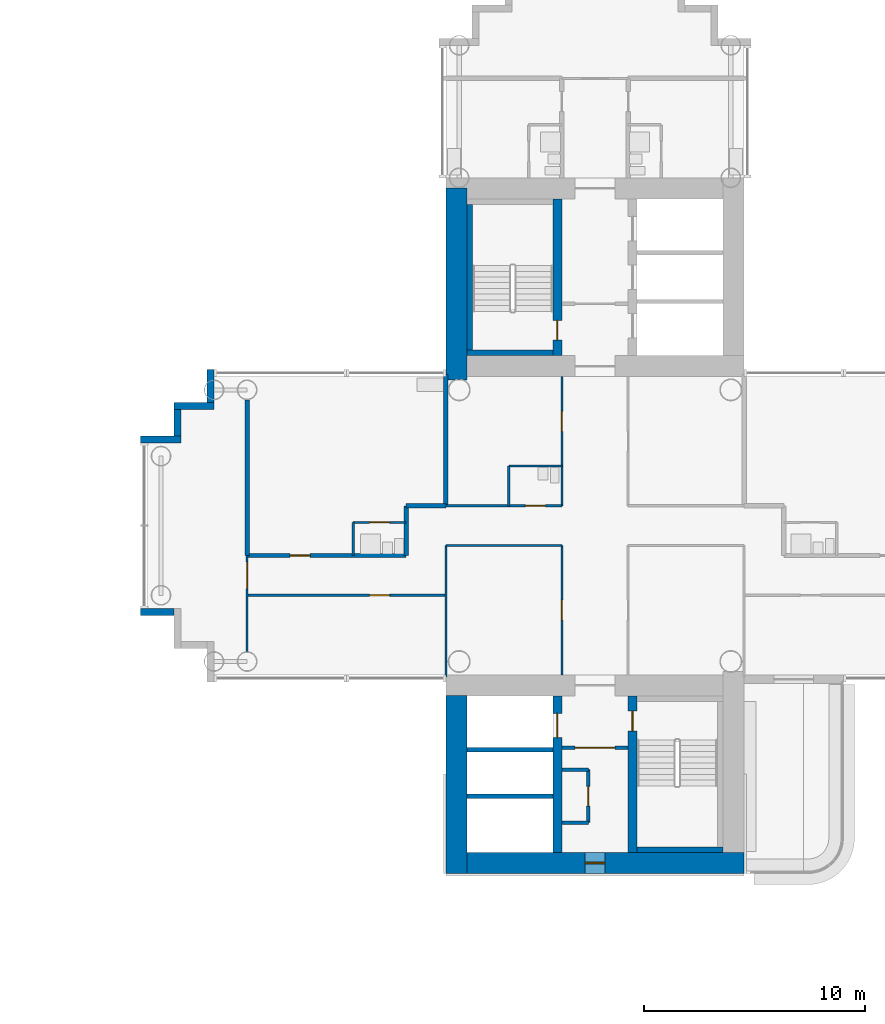
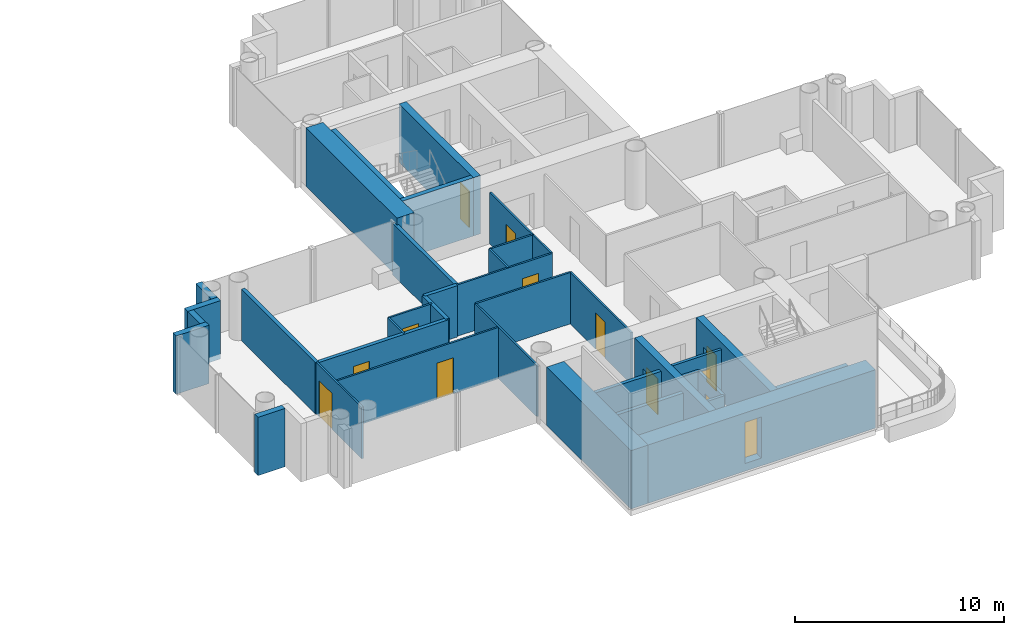
# One storey, part 12 of 21: 36 walls, 12 doors, 1 window, 13 openings.
"""IFC4 building model written with IfcOpenShell, lengths in metres."""

from ifc_helpers import new_model, si_unit, direction, frame, frame_2d, origin, place, context, subcontext, project, spatial, rectangle, extrude, material, layer, layer_set, type_object, element, fill, save


model = new_model("IFC4")

# Units and contexts
model_context = context("Model", 3, precision=1e-05, world=origin(), true_north=direction((0.0, 1.0)))
body_context = subcontext(model_context, "Body", "Model", "MODEL_VIEW")
ifc_project = project(units=[si_unit("LENGTHUNIT", "METRE"), si_unit("AREAUNIT", "SQUARE_METRE"), si_unit("VOLUMEUNIT", "CUBIC_METRE"), si_unit("PLANEANGLEUNIT", "RADIAN"), si_unit("MASSUNIT", "GRAM", prefix="KILO")], contexts=[model_context])

# Site, building, storey
site_placement = place(None, origin())
site = spatial("IfcSite", under=ifc_project, at=site_placement, CompositionType="ELEMENT")
building_placement = place(site_placement, origin())
building = spatial("IfcBuilding", under=site, at=building_placement, Name="Ipe Terrace Towers", CompositionType="ELEMENT")
storey_placement = place(building_placement, frame((0.0, 0.0, 117.39990234375)))
storey = spatial("IfcBuildingStorey", under=building, at=storey_placement, Name="L32", CompositionType="ELEMENT", Elevation=117.39990234375)

# Walls
ifc_material_1 = material(Name="Concrete C40/50 with buff precast cladding", Category="concrete")
ifc_layer_1 = layer(ifc_material_1, 0.320068359375)
ifc_layer_set_1 = layer_set([ifc_layer_1], Name="BUFF CLADDING WALL 320")
wall_type_1 = type_object("IfcWallType", Name="BUFF CLADDING WALL 320", PredefinedType="STANDARD", material=ifc_layer_set_1)
wall_1_placement = place(storey_placement, frame((18.590087890625, 7.070068359375, -0.2998046875), z_axis=(0.0, 0.0, 1.0), x_axis=(0.0, -1.0, 0.0)))
element("IfcWall", 1, at=wall_1_placement, inside=storey, type_object=wall_type_1, Name="T2-W-L32-30a wall", PredefinedType="STANDARD", context=body_context, shape_type="SweptSolid", body=[
    extrude(rectangle(XDim=1.5, YDim=0.320068359375, at=frame_2d((0.75, 0.0))), origin(), (0.0, 0.0, 1.0), 3.39990234375),
])
wall_2_placement = place(storey_placement, frame((18.75, 5.409912109375, -0.2998046875), z_axis=(0.0, 0.0, 1.0), x_axis=(-1.0, 0.0, 0.0)))
element("IfcWall", 2, at=wall_2_placement, inside=storey, type_object=wall_type_1, Name="T2-W-L32-31a wall", PredefinedType="STANDARD", context=body_context, shape_type="SweptSolid", body=[
    extrude(rectangle(XDim=1.820068359375, YDim=0.320068359375, at=frame_2d((0.91015625, 0.0))), origin(), (0.0, 0.0, 1.0), 3.39990234375),
])
wall_3_placement = place(storey_placement, frame((17.090087890625, 5.25, -0.2998046875), z_axis=(0.0, 0.0, 1.0), x_axis=(0.0, -1.0, 0.0)))
element("IfcWall", 3, at=wall_3_placement, inside=storey, type_object=wall_type_1, Name="T2-W-L32-32a wall", PredefinedType="STANDARD", context=body_context, shape_type="SweptSolid", body=[
    extrude(rectangle(XDim=1.179931640625, YDim=0.320068359375, at=frame_2d((0.58984375, 0.0))), origin(), (0.0, 0.0, 1.0), 3.39990234375),
])
wall_4_placement = place(storey_placement, frame((17.25, 3.909912109375, -0.2998046875), z_axis=(0.0, 0.0, 1.0), x_axis=(-1.0, 0.0, 0.0)))
element("IfcWall", 4, at=wall_4_placement, inside=storey, type_object=wall_type_1, Name="T2-W-L32-33a wall", PredefinedType="STANDARD", context=body_context, shape_type="SweptSolid", body=[
    extrude(rectangle(XDim=1.820068359375, YDim=0.320068359375, at=frame_2d((0.91015625, 0.0))), origin(), (0.0, 0.0, 1.0), 3.39990234375),
])
wall_5_placement = place(storey_placement, frame((15.429931640625, -3.909912109375, -0.2998046875), z_axis=(0.0, 0.0, 1.0), x_axis=(1.0, 0.0, 0.0)))
element("IfcWall", 5, at=wall_5_placement, inside=storey, type_object=wall_type_1, Name="T2-W-L32-35a wall", PredefinedType="STANDARD", context=body_context, shape_type="SweptSolid", body=[
    extrude(rectangle(XDim=1.5, YDim=0.320068359375, at=frame_2d((0.75, 0.0))), origin(), (0.0, 0.0, 1.0), 3.39990234375),
])

# Wall, opening, door
ifc_material_2 = material(Name="Gypsum board partition", Category="plasterboard")
ifc_layer_2 = layer(ifc_material_2, 0.10009765625)
ifc_layer_set_2 = layer_set([ifc_layer_2], Name="Gypsum board partition 100 mm")
wall_type_2 = type_object("IfcWallType", Name="Gypsum board partition 100 mm", PredefinedType="PARTITIONING", material=ifc_layer_set_2)
wall_6_placement = place(storey_placement, frame((29.25, -3.14990234375, 0.0), z_axis=(0.0, 0.0, 1.0), x_axis=(-1.0, 0.0, 0.0)))
wall_6 = element("IfcWall", 6, at=wall_6_placement, inside=storey, type_object=wall_type_2, Name="Gypsum board partition T2 L32 W02", PredefinedType="PARTITIONING", context=body_context, shape_type="SweptSolid", body=[
    extrude(rectangle(XDim=9.0, YDim=0.10009765625, at=frame_2d((4.5, 0.0))), origin(), (0.0, 0.0, 1.0), 3.0),
])
opening_1_placement = place(wall_6_placement, frame((2.550048828125, 0.0, 0.0)))
opening_1 = element("IfcOpeningElement", 7, at=opening_1_placement, cuts=wall_6, Name="Opening T2-Z2A-06", PredefinedType="OPENING", context=body_context, shape_type="SweptSolid", body=[
    extrude(rectangle(XDim=0.89990234375, YDim=2.10009765625, at=frame_2d((0.449951171875, 1.050048828125))), frame((0.0, 0.06005859375, 0.0), z_axis=(0.0, -1.0, 0.0), x_axis=(1.0, 0.0, 0.0)), (0.0, 0.0, 1.0), 0.1201171875),
])
ifc_material_3 = material(Name="Timber door leaf", Category="wood")
door_type_1 = type_object("IfcDoorType", Name="Lounge door 900 x 2100", OperationType="NOTDEFINED", PredefinedType="DOOR", material=ifc_material_3)
door_1_placement = place(opening_1_placement, origin())
door_1 = element("IfcDoor", 8, at=door_1_placement, inside=storey, type_object=door_type_1, Name="Lounge door T2-Z2A-06", OperationType="SINGLE_SWING_RIGHT", OverallHeight=2.10009765625, OverallWidth=0.89990234375, PredefinedType="DOOR", context=body_context, shape_type="SweptSolid", body=[
    extrude(rectangle(XDim=0.89990234375, YDim=2.10009765625, at=frame_2d((0.449951171875, 1.050048828125))), frame((0.0, 0.02490234375, 0.0), z_axis=(0.0, -1.0, 0.0), x_axis=(1.0, 0.0, 0.0)), (0.0, 0.0, 1.0), 0.050048828125),
])
fill(opening_1, door_1)

# Wall
wall_7_placement = place(storey_placement, frame((34.5, -0.89990234375, 0.0), z_axis=(0.0, 0.0, 1.0), x_axis=(-1.0, 0.0, 0.0)))
element("IfcWall", 9, at=wall_7_placement, inside=storey, type_object=wall_type_2, Name="Gypsum board partition T2 L32 W06", PredefinedType="PARTITIONING", context=body_context, shape_type="SweptSolid", body=[
    extrude(rectangle(XDim=5.25, YDim=0.10009765625, at=frame_2d((2.625, 0.0))), origin(), (0.0, 0.0, 1.0), 3.0),
])

# Wall, opening, door
wall_8_placement = place(storey_placement, frame((27.449951171875, 0.14990234375, 0.0), z_axis=(0.0, 0.0, 1.0), x_axis=(-1.0, 0.0, 0.0)))
wall_8 = element("IfcWall", 10, at=wall_8_placement, inside=storey, type_object=wall_type_2, Name="Gypsum board partition T2 L32 W08", PredefinedType="PARTITIONING", context=body_context, shape_type="SweptSolid", body=[
    extrude(rectangle(XDim=2.39990234375, YDim=0.10009765625, at=frame_2d((1.199951171875, 0.0))), origin(), (0.0, 0.0, 1.0), 3.0),
])
opening_2_placement = place(wall_8_placement, frame((0.75, 0.0, 0.0)))
opening_2 = element("IfcOpeningElement", 11, at=opening_2_placement, cuts=wall_8, Name="Opening T2-Z2A-08", PredefinedType="OPENING", context=body_context, shape_type="SweptSolid", body=[
    extrude(rectangle(XDim=0.89990234375, YDim=2.10009765625, at=frame_2d((0.449951171875, 1.050048828125))), frame((0.0, 0.06005859375, 0.0), z_axis=(0.0, -1.0, 0.0), x_axis=(1.0, 0.0, 0.0)), (0.0, 0.0, 1.0), 0.1201171875),
])
ifc_material_4 = material(Name="Timber door leaf", Category="wood")
door_type_2 = type_object("IfcDoorType", Name="Bathroom door 900 x 2100", OperationType="NOTDEFINED", PredefinedType="DOOR", material=ifc_material_4)
door_2_placement = place(opening_2_placement, origin())
door_2 = element("IfcDoor", 12, at=door_2_placement, inside=storey, type_object=door_type_2, Name="Bathroom door T2-Z2A-08", OperationType="SINGLE_SWING_LEFT", OverallHeight=2.10009765625, OverallWidth=0.89990234375, PredefinedType="DOOR", context=body_context, shape_type="SweptSolid", body=[
    extrude(rectangle(XDim=0.89990234375, YDim=2.10009765625, at=frame_2d((0.449951171875, 1.050048828125))), frame((0.0, 0.02490234375, 0.0), z_axis=(0.0, -1.0, 0.0), x_axis=(1.0, 0.0, 0.0)), (0.0, 0.0, 1.0), 0.050048828125),
])
fill(opening_2, door_2)

wall_9_placement = place(storey_placement, frame((34.5, 0.89990234375, 0.0), z_axis=(0.0, 0.0, 1.0), x_axis=(-1.0, 0.0, 0.0)))
wall_9 = element("IfcWall", 13, at=wall_9_placement, inside=storey, type_object=wall_type_2, Name="Gypsum board partition T2 L32 W10", PredefinedType="PARTITIONING", context=body_context, shape_type="SweptSolid", body=[
    extrude(rectangle(XDim=5.25, YDim=0.10009765625, at=frame_2d((2.625, 0.0))), origin(), (0.0, 0.0, 1.0), 3.0),
])
opening_3_placement = place(wall_9_placement, frame((0.75, 0.0, 0.0)))
opening_3 = element("IfcOpeningElement", 14, at=opening_3_placement, cuts=wall_9, Name="Opening T2-Z2A-01", PredefinedType="OPENING", context=body_context, shape_type="SweptSolid", body=[
    extrude(rectangle(XDim=0.89990234375, YDim=2.10009765625, at=frame_2d((0.449951171875, 1.050048828125))), frame((0.0, 0.06005859375, 0.0), z_axis=(0.0, -1.0, 0.0), x_axis=(1.0, 0.0, 0.0)), (0.0, 0.0, 1.0), 0.1201171875),
])
door_3_placement = place(opening_3_placement, origin())
door_3 = element("IfcDoor", 15, at=door_3_placement, inside=storey, type_object=door_type_2, Name="Bathroom door T2-Z2A-01", OperationType="SINGLE_SWING_LEFT", OverallHeight=2.10009765625, OverallWidth=0.89990234375, PredefinedType="DOOR", context=body_context, shape_type="SweptSolid", body=[
    extrude(rectangle(XDim=0.89990234375, YDim=2.10009765625, at=frame_2d((0.449951171875, 1.050048828125))), frame((0.0, 0.02490234375, 0.0), z_axis=(0.0, -1.0, 0.0), x_axis=(1.0, 0.0, 0.0)), (0.0, 0.0, 1.0), 0.050048828125),
])
fill(opening_3, door_3)

# Wall
wall_10_placement = place(storey_placement, frame((34.5, 2.699951171875, 0.0), z_axis=(0.0, 0.0, 1.0), x_axis=(-1.0, 0.0, 0.0)))
element("IfcWall", 16, at=wall_10_placement, inside=storey, type_object=wall_type_2, Name="Gypsum board partition T2 L32 W13", PredefinedType="PARTITIONING", context=body_context, shape_type="SweptSolid", body=[
    extrude(rectangle(XDim=2.39990234375, YDim=0.10009765625, at=frame_2d((1.199951171875, 0.0))), origin(), (0.0, 0.0, 1.0), 3.0),
])

# Wall, opening, door
wall_11_placement = place(storey_placement, frame((34.5, -6.75, 0.0), z_axis=(0.0, 0.0, 1.0), x_axis=(0.0, 1.0, 0.0)))
wall_11 = element("IfcWall", 17, at=wall_11_placement, inside=storey, type_object=wall_type_2, Name="Gypsum board partition T2 L32 W29", PredefinedType="PARTITIONING", context=body_context, shape_type="SweptSolid", body=[
    extrude(rectangle(XDim=5.85009765625, YDim=0.10009765625, at=frame_2d((2.925048828125, 0.0))), origin(), (0.0, 0.0, 1.0), 3.0),
])
opening_4_placement = place(wall_11_placement, frame((2.47509765625, 0.0, 0.0)))
opening_4 = element("IfcOpeningElement", 18, at=opening_4_placement, cuts=wall_11, Name="Opening T2-Z2A-03", PredefinedType="OPENING", context=body_context, shape_type="SweptSolid", body=[
    extrude(rectangle(XDim=0.89990234375, YDim=2.10009765625, at=frame_2d((0.449951171875, 1.050048828125))), frame((0.0, 0.06005859375, 0.0), z_axis=(0.0, -1.0, 0.0), x_axis=(1.0, 0.0, 0.0)), (0.0, 0.0, 1.0), 0.1201171875),
])
door_4_placement = place(opening_4_placement, origin())
door_4 = element("IfcDoor", 19, at=door_4_placement, inside=storey, type_object=door_type_1, Name="Lounge door T2-Z2A-03", OperationType="SINGLE_SWING_RIGHT", OverallHeight=2.10009765625, OverallWidth=0.89990234375, PredefinedType="DOOR", context=body_context, shape_type="SweptSolid", body=[
    extrude(rectangle(XDim=0.89990234375, YDim=2.10009765625, at=frame_2d((0.449951171875, 1.050048828125))), frame((0.0, 0.02490234375, 0.0), z_axis=(0.0, -1.0, 0.0), x_axis=(1.0, 0.0, 0.0)), (0.0, 0.0, 1.0), 0.050048828125),
])
fill(opening_4, door_4)

wall_12_placement = place(storey_placement, frame((34.5, 0.89990234375, 0.0), z_axis=(0.0, 0.0, 1.0), x_axis=(0.0, 1.0, 0.0)))
wall_12 = element("IfcWall", 20, at=wall_12_placement, inside=storey, type_object=wall_type_2, Name="Gypsum board partition T2 L32 W30", PredefinedType="PARTITIONING", context=body_context, shape_type="SweptSolid", body=[
    extrude(rectangle(XDim=5.85009765625, YDim=0.10009765625, at=frame_2d((2.925048828125, 0.0))), origin(), (0.0, 0.0, 1.0), 3.0),
])
opening_5_placement = place(wall_12_placement, frame((3.375, 0.0, 0.0)))
opening_5 = element("IfcOpeningElement", 21, at=opening_5_placement, cuts=wall_12, Name="Opening T2-Z2A-02", PredefinedType="OPENING", context=body_context, shape_type="SweptSolid", body=[
    extrude(rectangle(XDim=0.89990234375, YDim=2.10009765625, at=frame_2d((0.449951171875, 1.050048828125))), frame((0.0, 0.06005859375, 0.0), z_axis=(0.0, -1.0, 0.0), x_axis=(1.0, 0.0, 0.0)), (0.0, 0.0, 1.0), 0.1201171875),
])
door_5_placement = place(opening_5_placement, origin())
door_5 = element("IfcDoor", 22, at=door_5_placement, inside=storey, type_object=door_type_1, Name="Lounge door T2-Z2A-02", OperationType="SINGLE_SWING_LEFT", OverallHeight=2.10009765625, OverallWidth=0.89990234375, PredefinedType="DOOR", context=body_context, shape_type="SweptSolid", body=[
    extrude(rectangle(XDim=0.89990234375, YDim=2.10009765625, at=frame_2d((0.449951171875, 1.050048828125))), frame((0.0, 0.02490234375, 0.0), z_axis=(0.0, -1.0, 0.0), x_axis=(1.0, 0.0, 0.0)), (0.0, 0.0, 1.0), 0.050048828125),
])
fill(opening_5, door_5)

# Walls
wall_13_placement = place(storey_placement, frame((32.10009765625, 0.89990234375, 0.0), z_axis=(0.0, 0.0, 1.0), x_axis=(0.0, 1.0, 0.0)))
element("IfcWall", 23, at=wall_13_placement, inside=storey, type_object=wall_type_2, Name="Gypsum board partition T2 L32 W33", PredefinedType="PARTITIONING", context=body_context, shape_type="SweptSolid", body=[
    extrude(rectangle(XDim=1.800048828125, YDim=0.10009765625, at=frame_2d((0.89990234375, 0.0))), origin(), (0.0, 0.0, 1.0), 3.0),
])
wall_14_placement = place(storey_placement, frame((29.25, -6.85009765625, 0.0), z_axis=(0.0, 0.0, 1.0), x_axis=(0.0, 1.0, 0.0)))
element("IfcWall", 24, at=wall_14_placement, inside=storey, type_object=wall_type_2, Name="Gypsum board partition T2 L32 W34", PredefinedType="PARTITIONING", context=body_context, shape_type="SweptSolid", body=[
    extrude(rectangle(XDim=5.9501953125, YDim=0.10009765625, at=frame_2d((2.97509765625, 0.0))), origin(), (0.0, 0.0, 1.0), 3.0),
])
wall_15_placement = place(storey_placement, frame((25.050048828125, -1.35009765625, 0.0), z_axis=(0.0, 0.0, 1.0), x_axis=(0.0, 1.0, 0.0)))
element("IfcWall", 25, at=wall_15_placement, inside=storey, type_object=wall_type_2, Name="Gypsum board partition T2 L32 W37", PredefinedType="PARTITIONING", context=body_context, shape_type="SweptSolid", body=[
    extrude(rectangle(XDim=1.5, YDim=0.10009765625, at=frame_2d((0.75, 0.0))), origin(), (0.0, 0.0, 1.0), 3.0),
])

# Wall, opening, door
wall_16_placement = place(storey_placement, frame((20.25, -5.699951171875, 0.0), z_axis=(0.0, 0.0, 1.0), x_axis=(0.0, 1.0, 0.0)))
wall_16 = element("IfcWall", 26, at=wall_16_placement, inside=storey, type_object=wall_type_2, Name="Gypsum board partition T2 L32 W38", PredefinedType="PARTITIONING", context=body_context, shape_type="SweptSolid", body=[
    extrude(rectangle(XDim=4.349853515625, YDim=0.10009765625, at=frame_2d((2.1748046875, 0.0))), origin(), (0.0, 0.0, 1.0), 3.0),
])
opening_6_placement = place(wall_16_placement, frame((2.85009765625, 0.0, 0.0)))
opening_6 = element("IfcOpeningElement", 27, at=opening_6_placement, cuts=wall_16, Name="Opening T2-Z2A-09", PredefinedType="OPENING", context=body_context, shape_type="SweptSolid", body=[
    extrude(rectangle(XDim=1.199951171875, YDim=2.10009765625, at=frame_2d((0.60009765625, 1.050048828125))), frame((0.0, 0.06005859375, 0.0), z_axis=(0.0, -1.0, 0.0), x_axis=(1.0, 0.0, 0.0)), (0.0, 0.0, 1.0), 0.1201171875),
])
ifc_material_5 = material(Name="Timber door leaf", Category="wood")
door_type_3 = type_object("IfcDoorType", Name="Lounge door 1200 x 2100", OperationType="NOTDEFINED", PredefinedType="DOOR", material=ifc_material_5)
door_6_placement = place(opening_6_placement, origin())
door_6 = element("IfcDoor", 28, at=door_6_placement, inside=storey, type_object=door_type_3, Name="Lounge door T2-Z2A-09", OperationType="SINGLE_SWING_LEFT", OverallHeight=2.10009765625, OverallWidth=1.199951171875, PredefinedType="DOOR", context=body_context, shape_type="SweptSolid", body=[
    extrude(rectangle(XDim=1.199951171875, YDim=2.10009765625, at=frame_2d((0.60009765625, 1.050048828125))), frame((0.0, 0.02490234375, 0.0), z_axis=(0.0, -1.0, 0.0), x_axis=(1.0, 0.0, 0.0)), (0.0, 0.0, 1.0), 0.050048828125),
])
fill(opening_6, door_6)

ifc_material_6 = material(Name="Gypsum board partition", Category="plasterboard")
ifc_layer_3 = layer(ifc_material_6, 0.14990234375)
ifc_layer_set_3 = layer_set([ifc_layer_3], Name="Gypsum board partition 150 mm")
wall_type_3 = type_object("IfcWallType", Name="Gypsum board partition 150 mm", PredefinedType="PARTITIONING", material=ifc_layer_set_3)
wall_17_placement = place(storey_placement, frame((34.5, -10.050048828125, 0.0), z_axis=(0.0, 0.0, 1.0), x_axis=(1.0, 0.0, 0.0)))
wall_17 = element("IfcWall", 29, at=wall_17_placement, inside=storey, type_object=wall_type_3, Name="Gypsum board partition T2 L32 t2c2-lobby-wall", PredefinedType="PARTITIONING", context=body_context, shape_type="SweptSolid", body=[
    extrude(rectangle(XDim=3.0, YDim=0.14990234375, at=frame_2d((1.5, 0.0))), origin(), (0.0, 0.0, 1.0), 3.0),
])
opening_7_placement = place(wall_17_placement, frame((0.60009765625, 0.0, 0.0)))
opening_7 = element("IfcOpeningElement", 30, at=opening_7_placement, cuts=wall_17, Name="Opening T2C2-VD", PredefinedType="OPENING", context=body_context, shape_type="SweptSolid", body=[
    extrude(rectangle(XDim=1.800048828125, YDim=2.10009765625, at=frame_2d((0.89990234375, 1.050048828125))), frame((0.0, 0.0849609375, 0.0), z_axis=(0.0, -1.0, 0.0), x_axis=(1.0, 0.0, 0.0)), (0.0, 0.0, 1.0), 0.169921875),
])
ifc_material_7 = material(Name="Fire-rated timber door leaf", Category="wood")
door_type_4 = type_object("IfcDoorType", Name="Lobby door 1800 x 2100 FD60", OperationType="NOTDEFINED", PredefinedType="DOOR", material=ifc_material_7)
door_7_placement = place(opening_7_placement, origin())
door_7 = element("IfcDoor", 31, at=door_7_placement, inside=storey, type_object=door_type_4, Name="Lobby door T2C2-VD", OperationType="SINGLE_SWING_LEFT", OverallHeight=2.10009765625, OverallWidth=1.800048828125, PredefinedType="DOOR", context=body_context, shape_type="SweptSolid", body=[
    extrude(rectangle(XDim=1.800048828125, YDim=2.10009765625, at=frame_2d((0.89990234375, 1.050048828125))), frame((0.0, 0.02490234375, 0.0), z_axis=(0.0, -1.0, 0.0), x_axis=(1.0, 0.0, 0.0)), (0.0, 0.0, 1.0), 0.050048828125),
])
fill(opening_7, door_7)

wall_18_placement = place(storey_placement, frame((35.699951171875, -11.050048828125, 0.0), z_axis=(0.0, 0.0, 1.0), x_axis=(0.0, -1.0, 0.0)))
wall_18 = element("IfcWall", 32, at=wall_18_placement, inside=storey, type_object=wall_type_3, Name="Gypsum board partition T2 L32 t2c2-cup-s-f", PredefinedType="PARTITIONING", context=body_context, shape_type="SweptSolid", body=[
    extrude(rectangle(XDim=2.39990234375, YDim=0.14990234375, at=frame_2d((1.199951171875, 0.0))), origin(), (0.0, 0.0, 1.0), 3.0),
])
opening_8_placement = place(wall_18_placement, frame((0.75, 0.0, 0.0)))
opening_8 = element("IfcOpeningElement", 33, at=opening_8_placement, cuts=wall_18, Name="Opening T2C2-SC", PredefinedType="OPENING", context=body_context, shape_type="SweptSolid", body=[
    extrude(rectangle(XDim=0.89990234375, YDim=2.10009765625, at=frame_2d((0.449951171875, 1.050048828125))), frame((0.0, 0.0849609375, 0.0), z_axis=(0.0, -1.0, 0.0), x_axis=(1.0, 0.0, 0.0)), (0.0, 0.0, 1.0), 0.169921875),
])
ifc_material_8 = material(Name="Fire-rated timber door leaf", Category="wood")
door_type_5 = type_object("IfcDoorType", Name="Service door 900 x 2100 FD30S", OperationType="NOTDEFINED", PredefinedType="DOOR", material=ifc_material_8)
door_8_placement = place(opening_8_placement, origin())
door_8 = element("IfcDoor", 34, at=door_8_placement, inside=storey, type_object=door_type_5, Name="Service door T2C2-SC", OperationType="SINGLE_SWING_LEFT", OverallHeight=2.10009765625, OverallWidth=0.89990234375, PredefinedType="DOOR", context=body_context, shape_type="SweptSolid", body=[
    extrude(rectangle(XDim=0.89990234375, YDim=2.10009765625, at=frame_2d((0.449951171875, 1.050048828125))), frame((0.0, 0.02490234375, 0.0), z_axis=(0.0, -1.0, 0.0), x_axis=(1.0, 0.0, 0.0)), (0.0, 0.0, 1.0), 0.050048828125),
])
fill(opening_8, door_8)

# Walls
for number, where, z_axis, x_axis, name in (
    (35, (35.699951171875, -11.050048828125, 0.0), (0.0, 0.0, 1.0), (-1.0, 0.0, 0.0), "Gypsum board partition T2 L32 t2c2-cup-s-a"),
    (36, (35.699951171875, -13.449951171875, 0.0), (0.0, 0.0, 1.0), (-1.0, 0.0, 0.0), "Gypsum board partition T2 L32 t2c2-cup-s-b"),
):
    element("IfcWall", number, at=place(storey_placement, frame(where, z_axis=z_axis, x_axis=x_axis)), inside=storey, type_object=wall_type_3, Name=name, PredefinedType="PARTITIONING", context=body_context, shape_type="SweptSolid", body=[
        extrude(rectangle(XDim=1.199951171875, YDim=0.14990234375, at=frame_2d((0.60009765625, 0.0))), origin(), (0.0, 0.0, 1.0), 3.0),
    ])
ifc_material_9 = material(Name="Gypsum board party wall", Category="plasterboard")
ifc_layer_4 = layer(ifc_material_9, 0.199951171875)
ifc_layer_set_4 = layer_set([ifc_layer_4], Name="Gypsum board party wall 200 mm")
wall_type_4 = type_object("IfcWallType", Name="Gypsum board party wall 200 mm", PredefinedType="SOLIDWALL", material=ifc_layer_set_4)
for number, where, z_axis, x_axis, name in (
    (37, (30.199951171875, -10.14990234375, 0.0), (0.0, 0.0, 1.0), (1.0, 0.0, 0.0), "Gypsum board party wall T2 L32 t2c2-shaft-div1"),
    (38, (30.199951171875, -12.25, 0.0), (0.0, 0.0, 1.0), (1.0, 0.0, 0.0), "Gypsum board party wall T2 L32 t2c2-shaft-div2"),
):
    element("IfcWall", number, at=place(storey_placement, frame(where, z_axis=z_axis, x_axis=x_axis)), inside=storey, type_object=wall_type_4, Name=name, PredefinedType="SOLIDWALL", context=body_context, shape_type="SweptSolid", body=[
        extrude(rectangle(XDim=3.900146484375, YDim=0.199951171875, at=frame_2d((1.9501953125, 0.0))), origin(), (0.0, 0.0, 1.0), 3.0),
    ])

# Wall, opening, door
wall_19_placement = place(storey_placement, frame((27.449951171875, -1.35009765625, 0.0), z_axis=(0.0, 0.0, 1.0), x_axis=(-1.0, 0.0, 0.0)))
wall_19 = element("IfcWall", 39, at=wall_19_placement, inside=storey, type_object=wall_type_4, Name="Gypsum board party wall T2 L32 W04", PredefinedType="SOLIDWALL", context=body_context, shape_type="SweptSolid", body=[
    extrude(rectangle(XDim=7.199951171875, YDim=0.199951171875, at=frame_2d((3.60009765625, 0.0))), origin(), (0.0, 0.0, 1.0), 3.0),
])
opening_9_placement = place(wall_19_placement, frame((4.35009765625, 0.0, 0.0)))
opening_9 = element("IfcOpeningElement", 40, at=opening_9_placement, cuts=wall_19, Name="Opening T2-Z2A-07", PredefinedType="OPENING", context=body_context, shape_type="SweptSolid", body=[
    extrude(rectangle(XDim=0.89990234375, YDim=2.10009765625, at=frame_2d((0.449951171875, 1.050048828125))), frame((0.0, 0.10986328125, 0.0), z_axis=(0.0, -1.0, 0.0), x_axis=(1.0, 0.0, 0.0)), (0.0, 0.0, 1.0), 0.219970703125),
])
ifc_material_10 = material(Name="Fire-rated timber door leaf", Category="wood")
door_type_6 = type_object("IfcDoorType", Name="Flat entrance door 900 x 2100 FD30S", OperationType="NOTDEFINED", PredefinedType="DOOR", material=ifc_material_10)
door_9_placement = place(opening_9_placement, origin())
door_9 = element("IfcDoor", 41, at=door_9_placement, inside=storey, type_object=door_type_6, Name="Flat entrance door T2-Z2A-07", OperationType="SINGLE_SWING_RIGHT", OverallHeight=2.10009765625, OverallWidth=0.89990234375, PredefinedType="DOOR", context=body_context, shape_type="SweptSolid", body=[
    extrude(rectangle(XDim=0.89990234375, YDim=2.10009765625, at=frame_2d((0.449951171875, 1.050048828125))), frame((0.0, 0.02490234375, 0.0), z_axis=(0.0, -1.0, 0.0), x_axis=(1.0, 0.0, 0.0)), (0.0, 0.0, 1.0), 0.050048828125),
])
fill(opening_9, door_9)

# Walls
wall_20_placement = place(storey_placement, frame((29.25, 0.89990234375, 0.0), z_axis=(0.0, 0.0, 1.0), x_axis=(-1.0, 0.0, 0.0)))
element("IfcWall", 42, at=wall_20_placement, inside=storey, type_object=wall_type_4, Name="Gypsum board party wall T2 L32 W12", PredefinedType="SOLIDWALL", context=body_context, shape_type="SweptSolid", body=[
    extrude(rectangle(XDim=1.800048828125, YDim=0.199951171875, at=frame_2d((0.89990234375, 0.0))), origin(), (0.0, 0.0, 1.0), 3.0),
])
wall_21_placement = place(storey_placement, frame((29.25, 0.89990234375, 0.0), z_axis=(0.0, 0.0, 1.0), x_axis=(0.0, 1.0, 0.0)))
element("IfcWall", 43, at=wall_21_placement, inside=storey, type_object=wall_type_4, Name="Gypsum board party wall T2 L32 W35", PredefinedType="SOLIDWALL", context=body_context, shape_type="SweptSolid", body=[
    extrude(rectangle(XDim=5.9501953125, YDim=0.199951171875, at=frame_2d((2.97509765625, 0.0))), origin(), (0.0, 0.0, 1.0), 3.0),
])
wall_22_placement = place(storey_placement, frame((27.449951171875, -1.35009765625, 0.0), z_axis=(0.0, 0.0, 1.0), x_axis=(0.0, 1.0, 0.0)))
element("IfcWall", 44, at=wall_22_placement, inside=storey, type_object=wall_type_4, Name="Gypsum board party wall T2 L32 W36", PredefinedType="SOLIDWALL", context=body_context, shape_type="SweptSolid", body=[
    extrude(rectangle(XDim=2.25, YDim=0.199951171875, at=frame_2d((1.125, 0.0))), origin(), (0.0, 0.0, 1.0), 3.0),
])
wall_23_placement = place(storey_placement, frame((20.25, -1.35009765625, 0.0), z_axis=(0.0, 0.0, 1.0), x_axis=(0.0, 1.0, 0.0)))
element("IfcWall", 45, at=wall_23_placement, inside=storey, type_object=wall_type_4, Name="Gypsum board party wall T2 L32 W39", PredefinedType="SOLIDWALL", context=body_context, shape_type="SweptSolid", body=[
    extrude(rectangle(XDim=7.050048828125, YDim=0.199951171875, at=frame_2d((3.52490234375, 0.0))), origin(), (0.0, 0.0, 1.0), 3.0),
])
ifc_material_11 = material(Name="Concrete C50/60", Category="concrete")
ifc_layer_5 = layer(ifc_material_11, 0.25)
ifc_layer_set_5 = layer_set([ifc_layer_5], Name="RW250 CORE INFILL WALL 250 C50-60")
wall_type_5 = type_object("IfcWallType", Name="RW250 CORE INFILL WALL 250 C50-60", PredefinedType="SHEAR", material=ifc_layer_set_5)
wall_24_placement = place(storey_placement, frame((30.324951171875, 7.949951171875, 0.0), z_axis=(0.0, 0.0, 1.0), x_axis=(0.0, 1.0, 0.0)))
element("IfcWall", 46, at=wall_24_placement, inside=storey, type_object=wall_type_5, Name="Core infill wall T2-C1-back", PredefinedType="SHEAR", context=body_context, shape_type="SweptSolid", body=[
    extrude(rectangle(XDim=6.60009765625, YDim=0.25, at=frame_2d((3.300048828125, 0.0))), origin(), (0.0, 0.0, 1.0), 3.400146484375),
])
for number, where, z_axis, x_axis, name in (
    (47, (34.10009765625, 7.824951171875, 0.0), (0.0, 0.0, 1.0), (-1.0, 0.0, 0.0), "Core infill wall T2-C1-near"),
    (48, (37.89990234375, -14.675048828125, 0.0), (0.0, 0.0, 1.0), (1.0, 0.0, 0.0), "Core infill wall T2-C2-far"),
):
    element("IfcWall", number, at=place(storey_placement, frame(where, z_axis=z_axis, x_axis=x_axis)), inside=storey, type_object=wall_type_5, Name=name, PredefinedType="SHEAR", context=body_context, shape_type="SweptSolid", body=[
        extrude(rectangle(XDim=3.900146484375, YDim=0.25, at=frame_2d((1.9501953125, 0.0))), origin(), (0.0, 0.0, 1.0), 3.400146484375),
    ])

# Wall, opening, door
ifc_material_12 = material(Name="Concrete C50/60", Category="concrete")
ifc_layer_6 = layer(ifc_material_12, 0.39990234375)
ifc_layer_set_6 = layer_set([ifc_layer_6], Name="RW400 CORE SPINE WALL 400 C50-60")
wall_type_6 = type_object("IfcWallType", Name="RW400 CORE SPINE WALL 400 C50-60", PredefinedType="SHEAR", material=ifc_layer_set_6)
wall_25_placement = place(storey_placement, frame((34.300048828125, 7.699951171875, 0.0), z_axis=(0.0, 0.0, 1.0), x_axis=(0.0, 1.0, 0.0)))
wall_25 = element("IfcWall", 49, at=wall_25_placement, inside=storey, type_object=wall_type_6, Name="Core spine wall T2-C1-Z2-SW1", PredefinedType="SHEAR", context=body_context, shape_type="SweptSolid", body=[
    extrude(rectangle(XDim=7.10009765625, YDim=0.39990234375, at=frame_2d((3.550048828125, 0.0))), origin(), (0.0, 0.0, 1.0), 3.400146484375),
])
opening_10_placement = place(wall_25_placement, frame((0.699951171875, 0.0, 0.0)))
opening_10 = element("IfcOpeningElement", 50, at=opening_10_placement, cuts=wall_25, Name="Opening T2C1-SD", PredefinedType="OPENING", context=body_context, shape_type="SweptSolid", body=[
    extrude(rectangle(XDim=0.89990234375, YDim=2.10009765625, at=frame_2d((0.449951171875, 1.050048828125))), frame((0.0, 0.2099609375, 0.0), z_axis=(0.0, -1.0, 0.0), x_axis=(1.0, 0.0, 0.0)), (0.0, 0.0, 1.0), 0.419921875),
])
ifc_material_13 = material(Name="Fire-rated timber door leaf", Category="wood")
door_type_7 = type_object("IfcDoorType", Name="Stair door 900 x 2100 FD60", OperationType="NOTDEFINED", PredefinedType="DOOR", material=ifc_material_13)
door_10_placement = place(opening_10_placement, origin())
door_10 = element("IfcDoor", 51, at=door_10_placement, inside=storey, type_object=door_type_7, Name="Stair door T2C1-SD", OperationType="SINGLE_SWING_LEFT", OverallHeight=2.10009765625, OverallWidth=0.89990234375, PredefinedType="DOOR", context=body_context, shape_type="SweptSolid", body=[
    extrude(rectangle(XDim=0.89990234375, YDim=2.10009765625, at=frame_2d((0.449951171875, 1.050048828125))), frame((0.0, 0.02490234375, 0.0), z_axis=(0.0, -1.0, 0.0), x_axis=(1.0, 0.0, 0.0)), (0.0, 0.0, 1.0), 0.050048828125),
])
fill(opening_10, door_10)

wall_26_placement = place(storey_placement, frame((34.300048828125, -14.800048828125, 0.0), z_axis=(0.0, 0.0, 1.0), x_axis=(0.0, 1.0, 0.0)))
wall_26 = element("IfcWall", 52, at=wall_26_placement, inside=storey, type_object=wall_type_6, Name="Core spine wall T2-C2-Z2-SW1", PredefinedType="SHEAR", context=body_context, shape_type="SweptSolid", body=[
    extrude(rectangle(XDim=7.10009765625, YDim=0.39990234375, at=frame_2d((3.550048828125, 0.0))), origin(), (0.0, 0.0, 1.0), 3.400146484375),
])
opening_11_placement = place(wall_26_placement, frame((5.199951171875, 0.0, 0.0)))
opening_11 = element("IfcOpeningElement", 53, at=opening_11_placement, cuts=wall_26, Name="Opening T2C2-LD1", PredefinedType="OPENING", context=body_context, shape_type="SweptSolid", body=[
    extrude(rectangle(XDim=1.10009765625, YDim=2.10009765625, at=frame_2d((0.550048828125, 1.050048828125))), frame((0.0, 0.2099609375, 0.0), z_axis=(0.0, -1.0, 0.0), x_axis=(1.0, 0.0, 0.0)), (0.0, 0.0, 1.0), 0.419921875),
])
ifc_material_14 = material(Name="Fire-rated timber door leaf", Category="wood")
door_type_8 = type_object("IfcDoorType", Name="Sliding door 1100 x 2100 FD60", OperationType="SLIDING_TO_LEFT", PredefinedType="DOOR", material=ifc_material_14)
door_11_placement = place(opening_11_placement, origin())
door_11 = element("IfcDoor", 54, at=door_11_placement, inside=storey, type_object=door_type_8, Name="Sliding door T2C2-LD1", OperationType="SLIDING_TO_LEFT", OverallHeight=2.10009765625, OverallWidth=1.10009765625, PredefinedType="DOOR", context=body_context, shape_type="SweptSolid", body=[
    extrude(rectangle(XDim=1.10009765625, YDim=2.10009765625, at=frame_2d((0.550048828125, 1.050048828125))), frame((0.0, 0.02490234375, 0.0), z_axis=(0.0, -1.0, 0.0), x_axis=(1.0, 0.0, 0.0)), (0.0, 0.0, 1.0), 0.050048828125),
])
fill(opening_11, door_11)

wall_27_placement = place(storey_placement, frame((37.699951171875, -14.800048828125, 0.0), z_axis=(0.0, 0.0, 1.0), x_axis=(0.0, 1.0, 0.0)))
wall_27 = element("IfcWall", 55, at=wall_27_placement, inside=storey, type_object=wall_type_6, Name="Core spine wall T2-C2-Z2-SW2", PredefinedType="SHEAR", context=body_context, shape_type="SweptSolid", body=[
    extrude(rectangle(XDim=7.10009765625, YDim=0.39990234375, at=frame_2d((3.550048828125, 0.0))), origin(), (0.0, 0.0, 1.0), 3.400146484375),
])
opening_12_placement = place(wall_27_placement, frame((5.5, 0.0, 0.0)))
opening_12 = element("IfcOpeningElement", 56, at=opening_12_placement, cuts=wall_27, Name="Opening T2C2-SD", PredefinedType="OPENING", context=body_context, shape_type="SweptSolid", body=[
    extrude(rectangle(XDim=0.89990234375, YDim=2.10009765625, at=frame_2d((0.449951171875, 1.050048828125))), frame((0.0, 0.2099609375, 0.0), z_axis=(0.0, -1.0, 0.0), x_axis=(1.0, 0.0, 0.0)), (0.0, 0.0, 1.0), 0.419921875),
])
door_12_placement = place(opening_12_placement, origin())
door_12 = element("IfcDoor", 57, at=door_12_placement, inside=storey, type_object=door_type_7, Name="Stair door T2C2-SD", OperationType="SINGLE_SWING_RIGHT", OverallHeight=2.10009765625, OverallWidth=0.89990234375, PredefinedType="DOOR", context=body_context, shape_type="SweptSolid", body=[
    extrude(rectangle(XDim=0.89990234375, YDim=2.10009765625, at=frame_2d((0.449951171875, 1.050048828125))), frame((0.0, 0.02490234375, 0.0), z_axis=(0.0, -1.0, 0.0), x_axis=(1.0, 0.0, 0.0)), (0.0, 0.0, 1.0), 0.050048828125),
])
fill(opening_12, door_12)

# Wall
ifc_material_15 = material(Name="Concrete C50/60", Category="concrete")
ifc_layer_7 = layer(ifc_material_15, 0.949951171875)
ifc_layer_set_7 = layer_set([ifc_layer_7], Name="RW950 CORE WALL 950 C50-60")
wall_type_7 = type_object("IfcWallType", Name="RW950 CORE WALL 950 C50-60", PredefinedType="SHEAR", material=ifc_layer_set_7)
wall_28_placement = place(storey_placement, frame((29.72509765625, 15.298095703125, 0.0), z_axis=(0.0, 0.0, 1.0), x_axis=(0.0, -1.0, 0.0)))
element("IfcWall", 58, at=wall_28_placement, inside=storey, type_object=wall_type_7, Name="Core wall T2-C1-Z2-W04", PredefinedType="SHEAR", context=body_context, shape_type="SweptSolid", body=[
    extrude(rectangle(XDim=8.696044921875, YDim=0.949951171875, at=frame_2d((4.34814453125, 0.0))), origin(), (0.0, 0.0, 1.0), 3.400146484375),
])

# Wall, opening, window
wall_29_placement = place(storey_placement, frame((30.199951171875, -15.27490234375, 0.0), z_axis=(0.0, 0.0, 1.0), x_axis=(1.0, 0.0, 0.0)))
wall_29 = element("IfcWall", 59, at=wall_29_placement, inside=storey, type_object=wall_type_7, Name="Core wall T2-C2-Z2-W01", PredefinedType="SHEAR", context=body_context, shape_type="SweptSolid", body=[
    extrude(rectangle(XDim=12.550048828125, YDim=0.949951171875, at=frame_2d((6.27490234375, 0.0))), origin(), (0.0, 0.0, 1.0), 3.400146484375),
])
opening_13_placement = place(wall_29_placement, frame((5.35009765625, 0.0, 0.449951171875)))
opening_13 = element("IfcOpeningElement", 60, at=opening_13_placement, cuts=wall_29, Name="Opening T2-C2-W-01-L32", PredefinedType="OPENING", context=body_context, shape_type="SweptSolid", body=[
    extrude(rectangle(XDim=0.89990234375, YDim=2.39990234375, at=frame_2d((0.449951171875, 1.199951171875))), frame((0.0, 0.48486328125, 0.0), z_axis=(0.0, -1.0, 0.0), x_axis=(1.0, 0.0, 0.0)), (0.0, 0.0, 1.0), 0.969970703125),
])
ifc_material_16 = material(Name="Fire-resistant glazing EI 60", Category="glass")
window_type = type_object("IfcWindowType", Name="CORRIDOR END SLOT WINDOW 900 x 2400 EI 60", PartitioningType="SINGLE_PANEL", PredefinedType="WINDOW", material=ifc_material_16)
window_placement = place(opening_13_placement, origin())
window = element("IfcWindow", 61, at=window_placement, inside=storey, type_object=window_type, Name="W-01 window", OverallHeight=2.39990234375, OverallWidth=0.89990234375, PartitioningType="SINGLE_PANEL", PredefinedType="WINDOW", context=body_context, shape_type="SweptSolid", body=[
    extrude(rectangle(XDim=0.89990234375, YDim=2.39990234375, at=frame_2d((0.449951171875, 1.199951171875))), frame((0.0, 0.030029296875, 0.0), z_axis=(0.0, -1.0, 0.0), x_axis=(1.0, 0.0, 0.0)), (0.0, 0.0, 1.0), 0.06005859375),
])
fill(opening_13, window)

# Wall
wall_30_placement = place(storey_placement, frame((29.72509765625, -7.699951171875, 0.0), z_axis=(0.0, 0.0, 1.0), x_axis=(0.0, -1.0, 0.0)))
element("IfcWall", 62, at=wall_30_placement, inside=storey, type_object=wall_type_7, Name="Core wall T2-C2-Z2-W04", PredefinedType="SHEAR", context=body_context, shape_type="SweptSolid", body=[
    extrude(rectangle(XDim=8.050048828125, YDim=0.949951171875, at=frame_2d((4.02490234375, 0.0))), origin(), (0.0, 0.0, 1.0), 3.400146484375),
])

save(model, "model.ifc")
